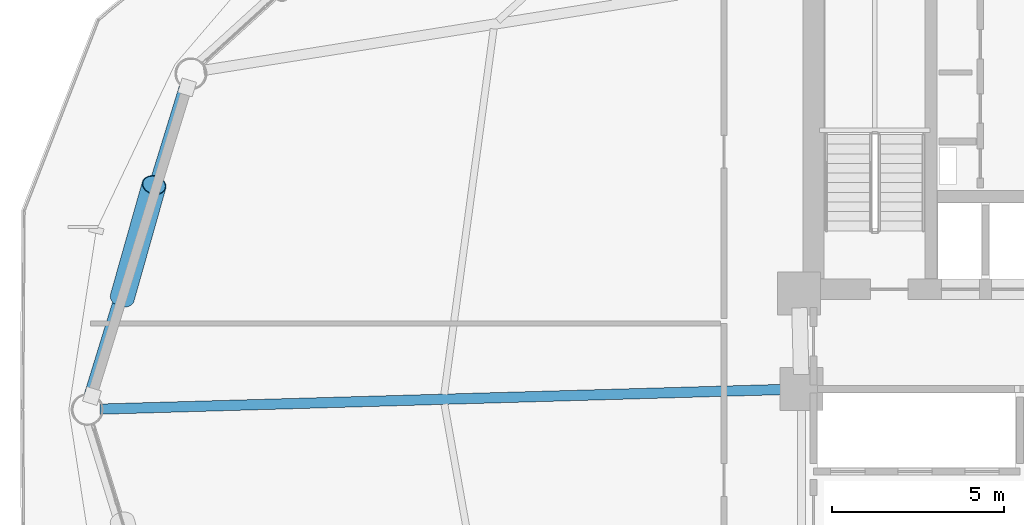
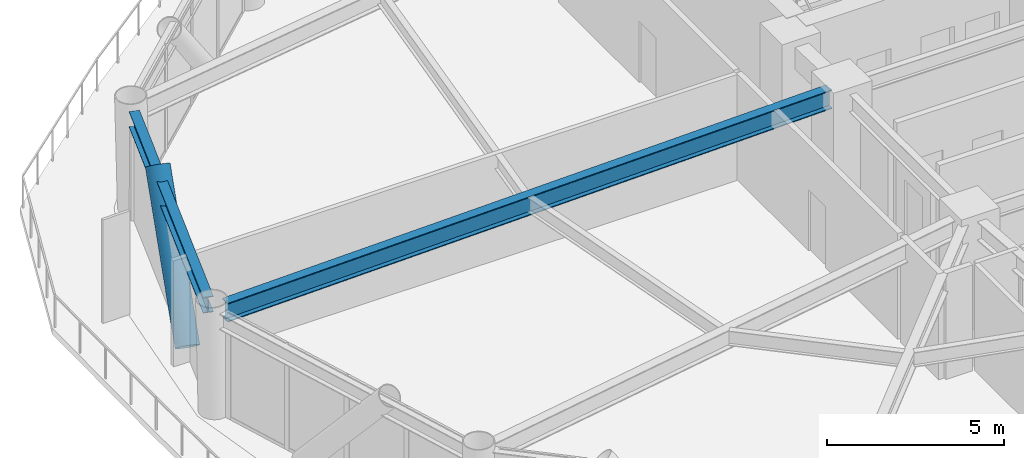
# One storey, part 8 of 22: 2 beams, 1 member.
"""IFC4 building model written with IfcOpenShell, lengths in metres."""

from ifc_helpers import new_model, si_unit, direction, frame, origin, origin_2d, place, context, subcontext, project, spatial, hollow_circle, i_section, extrude, material, material_profile, profile_set, type_object, element, save


model = new_model("IFC4")

# Units and contexts
model_context = context("Model", 3, precision=1e-05, world=origin(), true_north=direction((0.0, 1.0)))
body_context = subcontext(model_context, "Body", "Model", "MODEL_VIEW")
ifc_project = project(units=[si_unit("LENGTHUNIT", "METRE"), si_unit("AREAUNIT", "SQUARE_METRE"), si_unit("VOLUMEUNIT", "CUBIC_METRE"), si_unit("PLANEANGLEUNIT", "RADIAN"), si_unit("MASSUNIT", "GRAM", prefix="KILO")], contexts=[model_context])

# Site, building, storey
site_placement = place(None, origin())
site = spatial("IfcSite", under=ifc_project, at=site_placement, CompositionType="ELEMENT")
building_placement = place(site_placement, origin())
building = spatial("IfcBuilding", under=site, at=building_placement, Name="Varnakorn Sky Granary", CompositionType="ELEMENT")
storey_placement = place(building_placement, frame((0.0, 0.0, 66.60009765625)))
storey = spatial("IfcBuildingStorey", under=building, at=storey_placement, Name="L16", CompositionType="ELEMENT", Elevation=66.60009765625)

# Beams
ifc_material_1 = material(Name="Steel S355JR", Category="steel")
ifc_material_profile_1 = material_profile(ifc_material_1, i_section(OverallWidth=0.300048828125, OverallDepth=0.64990234375, WebThickness=0.01611328125, FlangeThickness=0.031005859375, at=origin_2d()), Name="HE 650 B")
ifc_profile_set_1 = profile_set([ifc_material_profile_1], Name="Steel S355JR")
beam_type_1 = type_object("IfcBeamType", Name="BM-RAD-Z1", PredefinedType="BEAM", material=ifc_profile_set_1)
beam_1_placement = place(storey_placement, frame((-2.769775390625, 0.587890625, 3.31494140625), z_axis=(-0.999585967293, -0.02877314704, 0.0), x_axis=(0.02877314704, -0.999585967293, 0.0)))
element("IfcBeam", 1, at=beam_1_placement, inside=storey, type_object=beam_type_1, Name="Radial Floor Girder RG07 L16", PredefinedType="BEAM", context=body_context, shape_type="SweptSolid", body=[
    extrude(i_section(OverallWidth=0.300048828125, OverallDepth=0.64990234375, WebThickness=0.01611328125, FlangeThickness=0.031005859375, at=origin_2d()), origin(), (0.0, 0.0, 1.0), 19.99072265625),
])
ifc_material_profile_2 = material_profile(ifc_material_1, i_section(OverallWidth=0.300048828125, OverallDepth=0.550048828125, WebThickness=0.014892578125, FlangeThickness=0.029052734375, at=origin_2d()), Name="HE 550 B")
ifc_profile_set_2 = profile_set([ifc_material_profile_2], Name="Steel S355JR")
beam_type_2 = type_object("IfcBeamType", Name="BM-SPD-Z1", PredefinedType="SPANDREL", material=ifc_profile_set_2)
beam_2_placement = place(storey_placement, frame((-20.30078125, 9.374755859375, 3.364990234375), z_axis=(-0.29490058875, -0.955527939285, 0.0), x_axis=(0.955527939285, -0.29490058875, 0.0)))
element("IfcBeam", 2, at=beam_2_placement, inside=storey, type_object=beam_type_2, Name="Perimeter Spandrel Ring Beam RB06 L16", PredefinedType="SPANDREL", context=body_context, shape_type="SweptSolid", body=[
    extrude(i_section(OverallWidth=0.300048828125, OverallDepth=0.550048828125, WebThickness=0.014892578125, FlangeThickness=0.029052734375, at=origin_2d()), origin(), (0.0, 0.0, 1.0), 9.369140625),
])

# Member
ifc_material_2 = material(Name="Steel S460M", Category="steel")
ifc_material_profile_3 = material_profile(ifc_material_2, hollow_circle(Radius=0.35546875, WallThickness=0.02490234375, at=origin_2d()), Name="CHS 711x25")
ifc_profile_set_3 = profile_set([ifc_material_profile_3], Name="Steel S460M")
member_type = type_object("IfcMemberType", Name="MB-DIAG-T0", PredefinedType="BRACE", material=ifc_profile_set_3)
member_placement = place(storey_placement, frame((-22.10498046875, 3.25439453125, -0.130126953125), z_axis=(0.178433258049, 0.631075412261, 0.754920788203), x_axis=(-0.962275133016, 0.272078239443, 0.0)))
element("IfcMember", 3, at=member_placement, inside=storey, type_object=member_type, Name="Perimeter CHS Diagrid Brace DG06 L16", PredefinedType="BRACE", context=body_context, shape_type="SweptSolid", body=[
    extrude(hollow_circle(Radius=0.35546875, WallThickness=0.02490234375, at=origin_2d()), origin(), (0.0, 0.0, 1.0), 5.1923828125),
])

save(model, "model.ifc")
